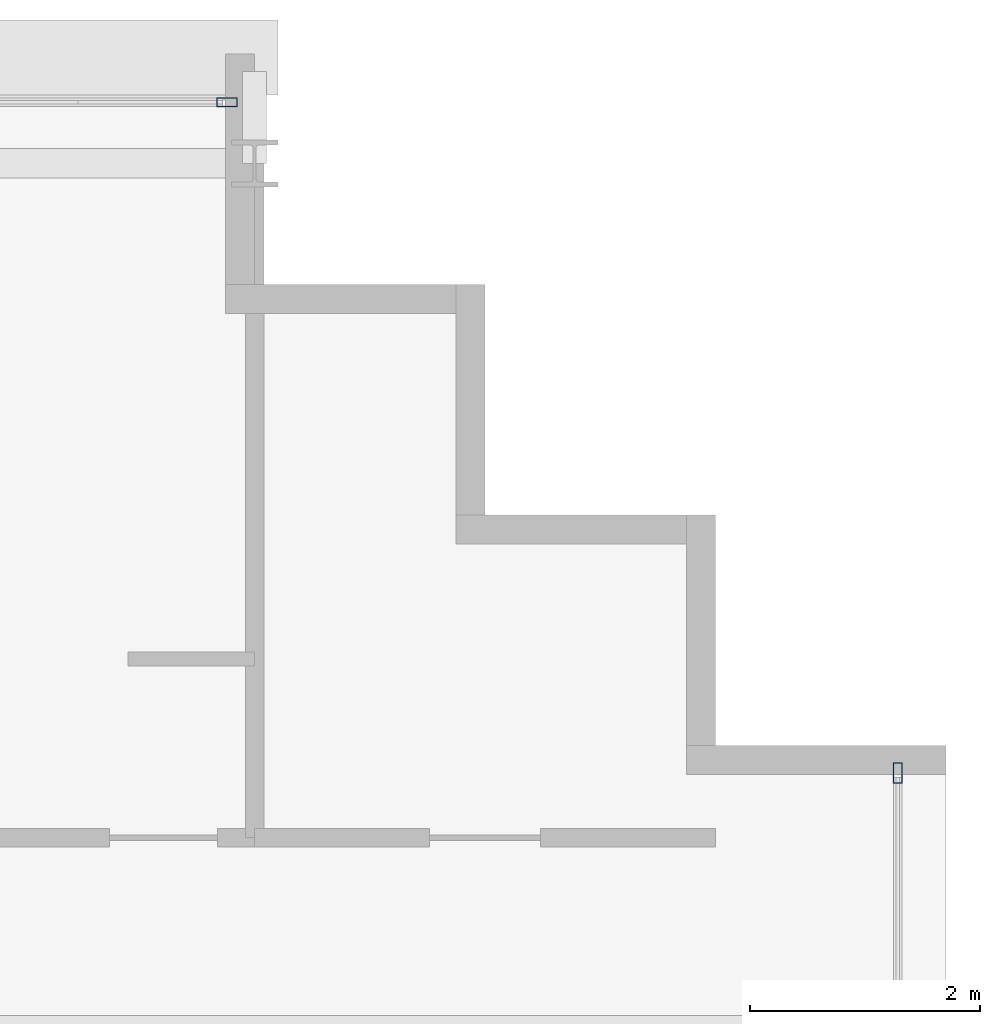
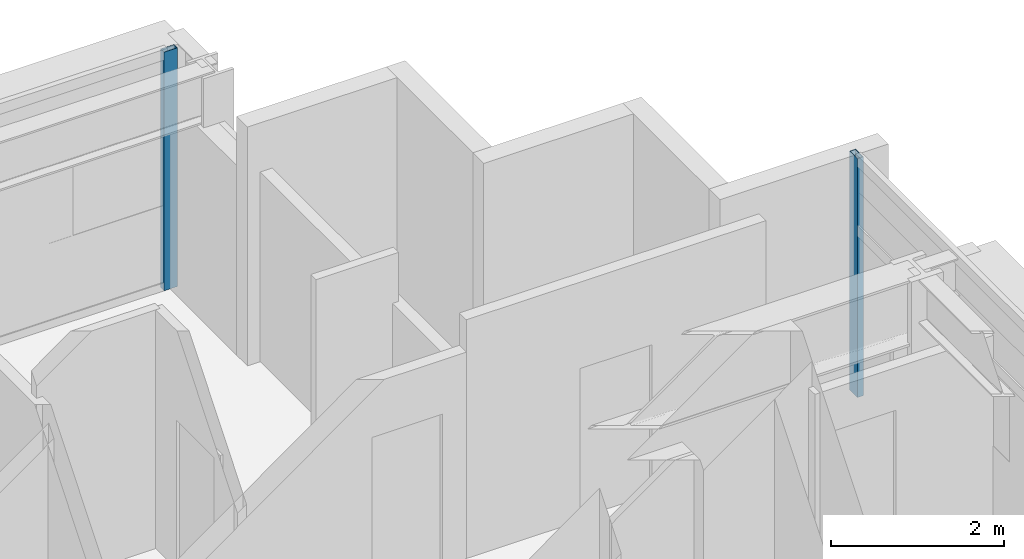
# One storey, part 19 of 31: 2 members, 2 elements without a shape of their own.
"""IFC4 building model written with IfcOpenShell, lengths in metres."""

import ifcopenshell
import ifcopenshell.guid

model = None  # the IFC model being written
_history = None  # IfcOwnerHistory: only IFC2X3 demands one
_inside = {}  # id of a spatial element -> (the spatial element, [elements in it])
_under = {}  # id of a project, library or spatial element -> (it, [spatial elements below it])
_declared = {}  # id of a project -> (the project, [libraries it declares])
_typed = {}  # id of a type object -> (the type object, [elements of that type])
_made_of = {}  # id of a material, layer set ... -> (it, [elements and type objects made of it])


def new_model(schema):
    """Start an empty IFC model of exactly this schema.

    Asked for "IFC4X3", IfcOpenShell would pick the latest addendum, in which some entities
    have other attributes; the version numbers below select the first issue.
    IFC2X3 requires an IfcOwnerHistory on every rooted entity: one is made here for all.
    """
    global model, _history
    if schema == "IFC4X3":
        model = ifcopenshell.file(schema_version=(4, 3, 0, 0))
    else:
        model = ifcopenshell.file(schema=schema)
    _inside.clear()
    _under.clear()
    _declared.clear()
    _typed.clear()
    _made_of.clear()
    _history = None
    if model.schema == "IFC2X3":
        org = make("IfcOrganization", Name="unknown")
        user = make(
            "IfcPersonAndOrganization",
            ThePerson=make("IfcPerson", FamilyName="unknown"),
            TheOrganization=org,
        )
        app = make(
            "IfcApplication",
            ApplicationDeveloper=org,
            Version="unknown",
            ApplicationFullName="unknown",
            ApplicationIdentifier="unknown",
        )
        _history = make(
            "IfcOwnerHistory",
            OwningUser=user,
            OwningApplication=app,
            ChangeAction="ADDED",
            CreationDate=0,
        )
    return model


def make(cls, **values):
    """One entity of the class cls with the attributes given. An attribute that is None is left unset."""
    return model.create_entity(
        cls, **{name: value for name, value in values.items() if value is not None}
    )


def rooted(cls, **values):
    """An entity with a GlobalId (a new one), such as an element, a storey or a relation."""
    return make(cls, GlobalId=ifcopenshell.guid.new(), OwnerHistory=_history, **values)


def si_unit(unit_type, name, prefix=None):
    """IfcSIUnit, for example si_unit("LENGTHUNIT", "METRE", prefix="MILLI")."""
    return make("IfcSIUnit", UnitType=unit_type, Prefix=prefix, Name=name)


def assignment(units):
    """IfcUnitAssignment: the units of a project."""
    return None if units is None else make("IfcUnitAssignment", Units=units)


def point(xyz):
    """IfcCartesianPoint."""
    return None if xyz is None else make("IfcCartesianPoint", Coordinates=xyz)


def direction(xyz):
    """IfcDirection."""
    return None if xyz is None else make("IfcDirection", DirectionRatios=xyz)


def frame(location, z_axis=None, x_axis=None):
    """IfcAxis2Placement3D, a coordinate frame: its origin and axes. An axis left out is left unset."""
    return make(
        "IfcAxis2Placement3D",
        Location=point(location),
        Axis=direction(z_axis),
        RefDirection=direction(x_axis),
    )


def frame_2d(location, x_axis=None):
    """IfcAxis2Placement2D, a coordinate frame in the plane: its origin and x axis."""
    return make(
        "IfcAxis2Placement2D", Location=point(location), RefDirection=direction(x_axis)
    )


def origin():
    """The frame at (0, 0, 0) with its axes left unset."""
    return frame((0.0, 0.0, 0.0))


def origin_2d():
    """The frame at (0, 0) in the plane with its x axis left unset."""
    return frame_2d((0.0, 0.0))


def place(relative_to, where):
    """IfcLocalPlacement: puts the frame where relative to a parent placement (None: the world)."""
    return make(
        "IfcLocalPlacement", PlacementRelTo=relative_to, RelativePlacement=where
    )


def context(
    kind, dimensions, precision=None, world=None, true_north=None, identifier=None
):
    """IfcGeometricRepresentationContext, for example the 3D "Model" context."""
    return make(
        "IfcGeometricRepresentationContext",
        ContextIdentifier=identifier,
        ContextType=kind,
        CoordinateSpaceDimension=dimensions,
        Precision=precision,
        WorldCoordinateSystem=world,
        TrueNorth=true_north,
    )


def subcontext(parent, identifier, kind, view, scale=None):
    """IfcGeometricRepresentationSubContext, for example "Body" below "Model"."""
    return make(
        "IfcGeometricRepresentationSubContext",
        ContextIdentifier=identifier,
        ContextType=kind,
        ParentContext=parent,
        TargetScale=scale,
        TargetView=view,
    )


def project(units=None, contexts=None):
    """IfcProject with its units and contexts."""
    return rooted(
        "IfcProject",
        Name="project",
        RepresentationContexts=contexts,
        UnitsInContext=assignment(units),
    )


def spatial(cls, under=None, at=None, **own):
    """A site, building, storey or space (cls), placed at a placement, below another one or the project."""
    s = rooted(cls, ObjectPlacement=at, **own)
    if under is not None:
        _under.setdefault(under.id(), (under, []))[1].append(s)
    return s


def profile(cls, at=None, kind="AREA", **sizes):
    """A parametric profile (cls). Its sizes go by their IFC names, for example OverallWidth=200.0."""
    return make(cls, ProfileType=kind, Position=at, **sizes)


def hollow_rectangle(**sizes):
    """IfcRectangleHollowProfileDef."""
    return profile("IfcRectangleHollowProfileDef", **sizes)


def extrude(swept, where, along, depth):
    """IfcExtrudedAreaSolid: the profile swept, set in the frame where, extruded along a direction by depth."""
    return make(
        "IfcExtrudedAreaSolid",
        SweptArea=swept,
        Position=where,
        ExtrudedDirection=direction(along),
        Depth=depth,
    )


def shape(context_of_items, identifier, shape_type, items):
    """IfcShapeRepresentation: the items that make up one representation, for example the "Body"."""
    return make(
        "IfcShapeRepresentation",
        ContextOfItems=context_of_items,
        RepresentationIdentifier=identifier,
        RepresentationType=shape_type,
        Items=items,
    )


def source(mapping_origin, context_of_items, identifier, shape_type, items):
    """IfcRepresentationMap: a shape defined once, which mapped items show again and again."""
    return make(
        "IfcRepresentationMap",
        MappingOrigin=mapping_origin,
        MappedRepresentation=shape(context_of_items, identifier, shape_type, items),
    )


def transform(
    local_origin,
    x_axis=None,
    y_axis=None,
    z_axis=None,
    scale=None,
    scale2=None,
    scale3=None,
    uniform=True,
):
    """IfcCartesianTransformationOperator3D, or its non-uniform kind. x_axis, y_axis, z_axis: its Axis1, 2, 3."""
    if uniform:
        return make(
            "IfcCartesianTransformationOperator3D",
            Axis1=direction(x_axis),
            Axis2=direction(y_axis),
            LocalOrigin=point(local_origin),
            Scale=scale,
            Axis3=direction(z_axis),
        )
    return make(
        "IfcCartesianTransformationOperator3DnonUniform",
        Axis1=direction(x_axis),
        Axis2=direction(y_axis),
        LocalOrigin=point(local_origin),
        Scale=scale,
        Axis3=direction(z_axis),
        Scale2=scale2,
        Scale3=scale3,
    )


def mapped(mapping_source, mapping_target):
    """IfcMappedItem: shows the shape of a source again, moved by a transform."""
    return make(
        "IfcMappedItem", MappingSource=mapping_source, MappingTarget=mapping_target
    )


def material(Name=None, Category=None):
    """IfcMaterial."""
    return make("IfcMaterial", Name=Name, Category=Category)


def layer(
    of_material, thickness, ventilated=None, Name=None, Category=None, Priority=None
):
    """IfcMaterialLayer: one layer of a wall or slab, of a material (None: an air gap)."""
    return make(
        "IfcMaterialLayer",
        Material=of_material,
        LayerThickness=thickness,
        IsVentilated=ventilated,
        Name=Name,
        Category=Category,
        Priority=Priority,
    )


def layer_set(layers, Name=None):
    """IfcMaterialLayerSet."""
    return make("IfcMaterialLayerSet", MaterialLayers=layers, LayerSetName=Name)


def material_profile(
    of_material, cross_section, Name=None, Category=None, Priority=None
):
    """IfcMaterialProfile: a cross section and its material."""
    return make(
        "IfcMaterialProfile",
        Name=Name,
        Material=of_material,
        Profile=cross_section,
        Priority=Priority,
        Category=Category,
    )


def profile_set(profiles, Name=None, composite=None):
    """IfcMaterialProfileSet."""
    return make(
        "IfcMaterialProfileSet",
        Name=Name,
        MaterialProfiles=profiles,
        CompositeProfile=composite,
    )


def made_of(thing, what):
    """Note that an element or type object is made of a material, layer set ...; save() writes the relation."""
    if what is not None:
        _made_of.setdefault(what.id(), (what, []))[1].append(thing)
    return thing


def type_object(cls, material=None, **own):
    """A type object (cls), such as IfcWallType, which elements share."""
    return made_of(rooted(cls, **own), material)


def element(
    cls,
    number,
    at=None,
    inside=None,
    cuts=None,
    type_object=None,
    material=None,
    context=None,
    identifier="Body",
    shape_type=None,
    held_by="IfcProductDefinitionShape",
    body=None,
    shapes=None,
    **own,
):
    """One element of the class cls, such as IfcWall. Its Tag is "e" and its number.

    at: its placement. inside: the storey or other place that contains it. cuts: it is an
    opening in that element (IfcRelVoidsElement). A single representation is given by context,
    identifier, shape_type and body (its items); several are given by shapes. held_by: the class
    of the entity that holds the representations. save() writes the other relations.
    """
    e = rooted(cls, Tag="e%d" % number, ObjectPlacement=at, **own)
    if body is not None:
        shapes = [shape(context, identifier, shape_type, body)]
    if shapes is not None:
        e.Representation = make(held_by, Representations=shapes)
    if inside is not None:
        _inside.setdefault(inside.id(), (inside, []))[1].append(e)
    if cuts is not None:
        rooted(
            "IfcRelVoidsElement", RelatingBuildingElement=cuts, RelatedOpeningElement=e
        )
    if type_object is not None:
        _typed.setdefault(type_object.id(), (type_object, []))[1].append(e)
    return made_of(e, material)


def aggregate(whole, parts):
    """IfcRelAggregates: a whole, such as a stair, and the parts it consists of."""
    return rooted("IfcRelAggregates", RelatingObject=whole, RelatedObjects=parts)


def save(model, path):
    """Write the relations noted so far, then the file.

    IfcRelAggregates (storeys below a building ...), IfcRelContainedInSpatialStructure (elements
    in a storey), IfcRelDefinesByType, IfcRelAssociatesMaterial and IfcRelDeclares: one each for
    every whole, place, type object, material and project.
    """
    for whole, parts in _under.values():
        aggregate(whole, parts)
    for where, things in _inside.values():
        rooted(
            "IfcRelContainedInSpatialStructure",
            RelatedElements=things,
            RelatingStructure=where,
        )
    for kind, things in _typed.values():
        rooted("IfcRelDefinesByType", RelatedObjects=things, RelatingType=kind)
    for what, things in _made_of.values():
        rooted("IfcRelAssociatesMaterial", RelatedObjects=things, RelatingMaterial=what)
    for by, libraries in _declared.values():
        rooted("IfcRelDeclares", RelatingContext=by, RelatedDefinitions=libraries)
    model.write(path)


model = new_model("IFC4")

# Units and contexts
model_context = context("Model", 3, precision=1e-05, world=origin(), true_north=direction((0.0, 1.0)))
body_context = subcontext(model_context, "Body", "Model", "MODEL_VIEW")
ifc_project = project(units=[si_unit("LENGTHUNIT", "METRE"), si_unit("AREAUNIT", "SQUARE_METRE"), si_unit("VOLUMEUNIT", "CUBIC_METRE"), si_unit("PLANEANGLEUNIT", "RADIAN"), si_unit("MASSUNIT", "GRAM", prefix="KILO")], contexts=[model_context])

# Site, building, storey
site_placement = place(None, origin())
site = spatial("IfcSite", under=ifc_project, at=site_placement, CompositionType="ELEMENT")
building_placement = place(site_placement, origin())
building = spatial("IfcBuilding", under=site, at=building_placement, Name="Ocotamira Hotel", CompositionType="ELEMENT")
storey_placement = place(building_placement, frame((0.0, 0.0, 181.199951171875)))
storey = spatial("IfcBuildingStorey", under=building, at=storey_placement, Name="L45", CompositionType="ELEMENT", Elevation=181.199951171875)

# Curtain wall, member
ifc_material_1 = material(Name="Anodised pale-metal aluminium and solar glass", Category="aluminium")
ifc_layer = layer(ifc_material_1, 0.199951171875)
ifc_layer_set = layer_set([ifc_layer], Name="Anodised pale-metal aluminium and solar glass")
curtain_wall_type = type_object("IfcCurtainWallType", Name="CW-SYS4-Z3", PredefinedType="NOTDEFINED", material=ifc_layer_set)
curtain_wall_1_placement = place(storey_placement, origin())
curtain_wall_1 = element("IfcCurtainWall", 1, at=curtain_wall_1_placement, inside=storey, type_object=curtain_wall_type, Name="L45 Curtain Wall CW-4 CW-L45-N", PredefinedType="NOTDEFINED")
ifc_material_2 = material(Name="Anodised pale-metal aluminium 6063-T6", Category="aluminium")
ifc_material_profile = material_profile(ifc_material_2, hollow_rectangle(XDim=0.080078125, YDim=0.179931640625, WallThickness=0.006103515625, at=origin_2d()), Name="HSS180X80X6")
ifc_profile_set = profile_set([ifc_material_profile], Name="Anodised pale-metal aluminium 6063-T6")
member_type = type_object("IfcMemberType", Name="CWM-180X75", PredefinedType="MULLION", material=ifc_profile_set)
shared_shape = source(origin(), body_context, "Body", "SweptSolid", [
    extrude(hollow_rectangle(XDim=0.080078125, YDim=0.179931640625, WallThickness=0.006103515625, at=origin_2d()), origin(), (0.0, 0.0, 1.0), 3.3701171875),
])
member_1_placement = place(storey_placement, frame((49.760009765625, 45.580078125, 0.0), z_axis=(0.0, 0.0, 1.0), x_axis=(0.0, 1.0, 0.0)))
member_1 = element("IfcMember", 2, at=member_1_placement, type_object=member_type, Name="CW-4 mullion 10", PredefinedType="MULLION", context=body_context, shape_type="MappedRepresentation", body=[
    mapped(shared_shape, transform((0.0, 0.0, 0.0), scale=1.0)),
])
aggregate(curtain_wall_1, [member_1])

curtain_wall_2_placement = place(storey_placement, origin())
curtain_wall_2 = element("IfcCurtainWall", 3, at=curtain_wall_2_placement, inside=storey, type_object=curtain_wall_type, Name="L45 Curtain Wall CW-4 CW-L45-E", PredefinedType="NOTDEFINED")
member_2_placement = place(storey_placement, frame((55.580078125, 39.760009765625, 0.0), z_axis=(0.0, 0.0, 1.0), x_axis=(-1.0, 0.0, 0.0)))
member_2 = element("IfcMember", 4, at=member_2_placement, type_object=member_type, Name="CW-4 mullion 6", PredefinedType="MULLION", context=body_context, shape_type="MappedRepresentation", body=[
    mapped(shared_shape, transform((0.0, 0.0, 0.0), scale=1.0)),
])
aggregate(curtain_wall_2, [member_2])

save(model, "model.ifc")
